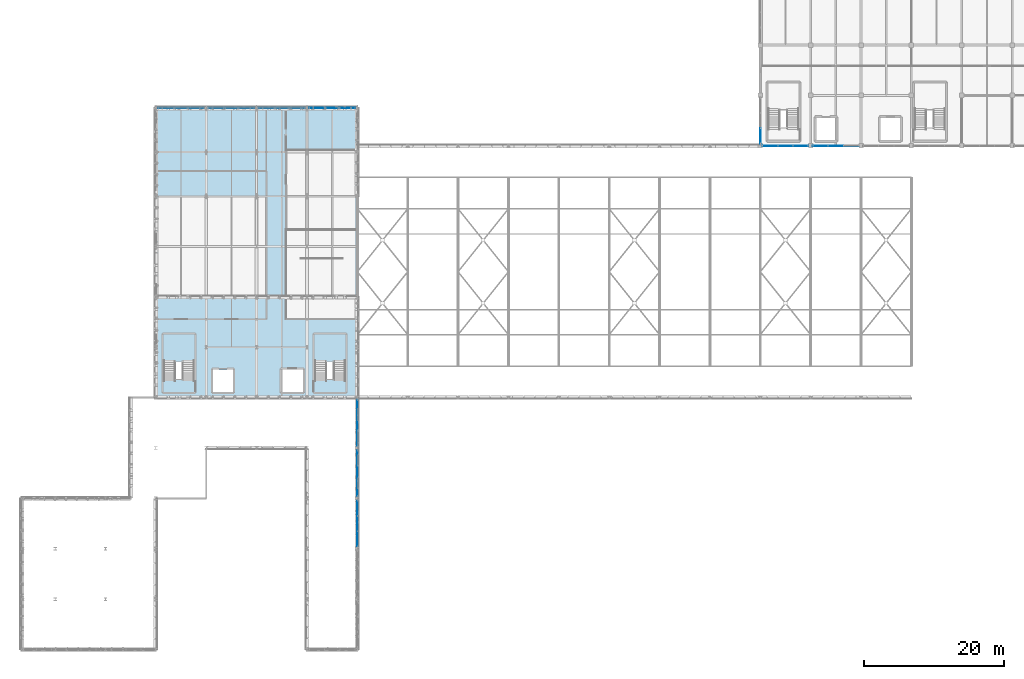
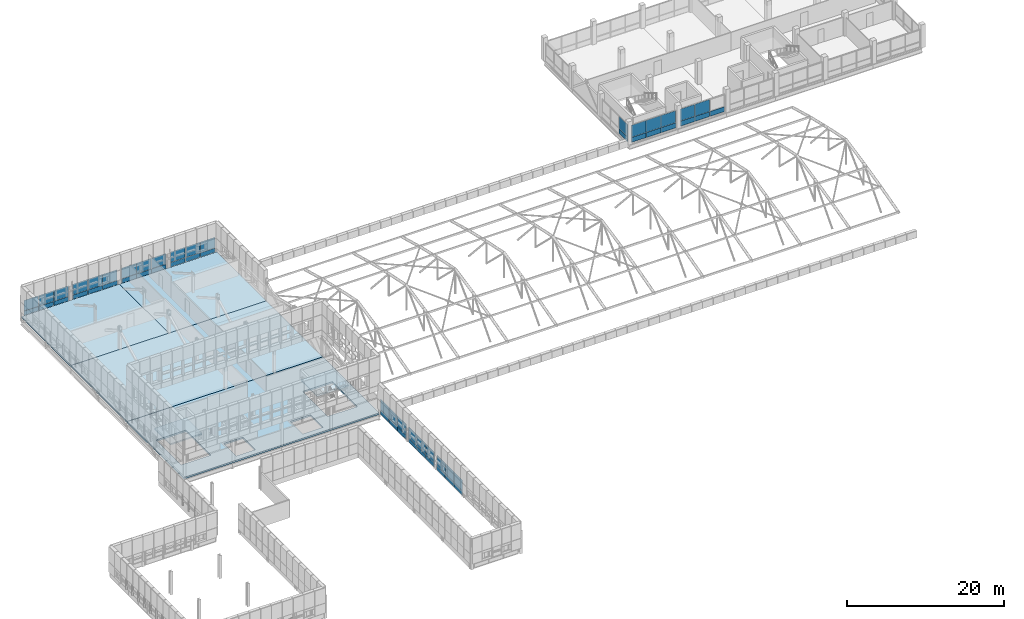
# One storey, part 50 of 96: 55 plates, 6 slabs, 12 elements without a shape of their own.
"""IFC4 building model written with IfcOpenShell, lengths in metres."""

import ifcopenshell
import ifcopenshell.guid

model = None  # the IFC model being written
_history = None  # IfcOwnerHistory: only IFC2X3 demands one
_inside = {}  # id of a spatial element -> (the spatial element, [elements in it])
_under = {}  # id of a project, library or spatial element -> (it, [spatial elements below it])
_declared = {}  # id of a project -> (the project, [libraries it declares])
_typed = {}  # id of a type object -> (the type object, [elements of that type])
_made_of = {}  # id of a material, layer set ... -> (it, [elements and type objects made of it])


def new_model(schema):
    """Start an empty IFC model of exactly this schema.

    Asked for "IFC4X3", IfcOpenShell would pick the latest addendum, in which some entities
    have other attributes; the version numbers below select the first issue.
    IFC2X3 requires an IfcOwnerHistory on every rooted entity: one is made here for all.
    """
    global model, _history
    if schema == "IFC4X3":
        model = ifcopenshell.file(schema_version=(4, 3, 0, 0))
    else:
        model = ifcopenshell.file(schema=schema)
    _inside.clear()
    _under.clear()
    _declared.clear()
    _typed.clear()
    _made_of.clear()
    _history = None
    if model.schema == "IFC2X3":
        org = make("IfcOrganization", Name="unknown")
        user = make(
            "IfcPersonAndOrganization",
            ThePerson=make("IfcPerson", FamilyName="unknown"),
            TheOrganization=org,
        )
        app = make(
            "IfcApplication",
            ApplicationDeveloper=org,
            Version="unknown",
            ApplicationFullName="unknown",
            ApplicationIdentifier="unknown",
        )
        _history = make(
            "IfcOwnerHistory",
            OwningUser=user,
            OwningApplication=app,
            ChangeAction="ADDED",
            CreationDate=0,
        )
    return model


def make(cls, **values):
    """One entity of the class cls with the attributes given. An attribute that is None is left unset."""
    return model.create_entity(
        cls, **{name: value for name, value in values.items() if value is not None}
    )


def rooted(cls, **values):
    """An entity with a GlobalId (a new one), such as an element, a storey or a relation."""
    return make(cls, GlobalId=ifcopenshell.guid.new(), OwnerHistory=_history, **values)


def si_unit(unit_type, name, prefix=None):
    """IfcSIUnit, for example si_unit("LENGTHUNIT", "METRE", prefix="MILLI")."""
    return make("IfcSIUnit", UnitType=unit_type, Prefix=prefix, Name=name)


def assignment(units):
    """IfcUnitAssignment: the units of a project."""
    return None if units is None else make("IfcUnitAssignment", Units=units)


def point(xyz):
    """IfcCartesianPoint."""
    return None if xyz is None else make("IfcCartesianPoint", Coordinates=xyz)


def direction(xyz):
    """IfcDirection."""
    return None if xyz is None else make("IfcDirection", DirectionRatios=xyz)


def frame(location, z_axis=None, x_axis=None):
    """IfcAxis2Placement3D, a coordinate frame: its origin and axes. An axis left out is left unset."""
    return make(
        "IfcAxis2Placement3D",
        Location=point(location),
        Axis=direction(z_axis),
        RefDirection=direction(x_axis),
    )


def frame_2d(location, x_axis=None):
    """IfcAxis2Placement2D, a coordinate frame in the plane: its origin and x axis."""
    return make(
        "IfcAxis2Placement2D", Location=point(location), RefDirection=direction(x_axis)
    )


def origin():
    """The frame at (0, 0, 0) with its axes left unset."""
    return frame((0.0, 0.0, 0.0))


def origin_2d():
    """The frame at (0, 0) in the plane with its x axis left unset."""
    return frame_2d((0.0, 0.0))


def place(relative_to, where):
    """IfcLocalPlacement: puts the frame where relative to a parent placement (None: the world)."""
    return make(
        "IfcLocalPlacement", PlacementRelTo=relative_to, RelativePlacement=where
    )


def context(
    kind, dimensions, precision=None, world=None, true_north=None, identifier=None
):
    """IfcGeometricRepresentationContext, for example the 3D "Model" context."""
    return make(
        "IfcGeometricRepresentationContext",
        ContextIdentifier=identifier,
        ContextType=kind,
        CoordinateSpaceDimension=dimensions,
        Precision=precision,
        WorldCoordinateSystem=world,
        TrueNorth=true_north,
    )


def subcontext(parent, identifier, kind, view, scale=None):
    """IfcGeometricRepresentationSubContext, for example "Body" below "Model"."""
    return make(
        "IfcGeometricRepresentationSubContext",
        ContextIdentifier=identifier,
        ContextType=kind,
        ParentContext=parent,
        TargetScale=scale,
        TargetView=view,
    )


def project(units=None, contexts=None):
    """IfcProject with its units and contexts."""
    return rooted(
        "IfcProject",
        Name="project",
        RepresentationContexts=contexts,
        UnitsInContext=assignment(units),
    )


def spatial(cls, under=None, at=None, **own):
    """A site, building, storey or space (cls), placed at a placement, below another one or the project."""
    s = rooted(cls, ObjectPlacement=at, **own)
    if under is not None:
        _under.setdefault(under.id(), (under, []))[1].append(s)
    return s


def polyline(points):
    """IfcPolyline through the points."""
    return make("IfcPolyline", Points=[point(p) for p in points])


def profile(cls, at=None, kind="AREA", **sizes):
    """A parametric profile (cls). Its sizes go by their IFC names, for example OverallWidth=200.0."""
    return make(cls, ProfileType=kind, Position=at, **sizes)


def rectangle(**sizes):
    """IfcRectangleProfileDef."""
    return profile("IfcRectangleProfileDef", **sizes)


def outline(outer, holes=None, kind="AREA"):
    """IfcArbitraryClosedProfileDef: a profile drawn as a closed curve; with holes, ...WithVoids."""
    if holes is None:
        return make("IfcArbitraryClosedProfileDef", ProfileType=kind, OuterCurve=outer)
    return make(
        "IfcArbitraryProfileDefWithVoids",
        ProfileType=kind,
        OuterCurve=outer,
        InnerCurves=holes,
    )


def extrude(swept, where, along, depth):
    """IfcExtrudedAreaSolid: the profile swept, set in the frame where, extruded along a direction by depth."""
    return make(
        "IfcExtrudedAreaSolid",
        SweptArea=swept,
        Position=where,
        ExtrudedDirection=direction(along),
        Depth=depth,
    )


def shape(context_of_items, identifier, shape_type, items):
    """IfcShapeRepresentation: the items that make up one representation, for example the "Body"."""
    return make(
        "IfcShapeRepresentation",
        ContextOfItems=context_of_items,
        RepresentationIdentifier=identifier,
        RepresentationType=shape_type,
        Items=items,
    )


def material(Name=None, Category=None):
    """IfcMaterial."""
    return make("IfcMaterial", Name=Name, Category=Category)


def layer(
    of_material, thickness, ventilated=None, Name=None, Category=None, Priority=None
):
    """IfcMaterialLayer: one layer of a wall or slab, of a material (None: an air gap)."""
    return make(
        "IfcMaterialLayer",
        Material=of_material,
        LayerThickness=thickness,
        IsVentilated=ventilated,
        Name=Name,
        Category=Category,
        Priority=Priority,
    )


def layer_set(layers, Name=None):
    """IfcMaterialLayerSet."""
    return make("IfcMaterialLayerSet", MaterialLayers=layers, LayerSetName=Name)


def made_of(thing, what):
    """Note that an element or type object is made of a material, layer set ...; save() writes the relation."""
    if what is not None:
        _made_of.setdefault(what.id(), (what, []))[1].append(thing)
    return thing


def type_object(cls, material=None, **own):
    """A type object (cls), such as IfcWallType, which elements share."""
    return made_of(rooted(cls, **own), material)


def element(
    cls,
    number,
    at=None,
    inside=None,
    cuts=None,
    type_object=None,
    material=None,
    context=None,
    identifier="Body",
    shape_type=None,
    held_by="IfcProductDefinitionShape",
    body=None,
    shapes=None,
    **own,
):
    """One element of the class cls, such as IfcWall. Its Tag is "e" and its number.

    at: its placement. inside: the storey or other place that contains it. cuts: it is an
    opening in that element (IfcRelVoidsElement). A single representation is given by context,
    identifier, shape_type and body (its items); several are given by shapes. held_by: the class
    of the entity that holds the representations. save() writes the other relations.
    """
    e = rooted(cls, Tag="e%d" % number, ObjectPlacement=at, **own)
    if body is not None:
        shapes = [shape(context, identifier, shape_type, body)]
    if shapes is not None:
        e.Representation = make(held_by, Representations=shapes)
    if inside is not None:
        _inside.setdefault(inside.id(), (inside, []))[1].append(e)
    if cuts is not None:
        rooted(
            "IfcRelVoidsElement", RelatingBuildingElement=cuts, RelatedOpeningElement=e
        )
    if type_object is not None:
        _typed.setdefault(type_object.id(), (type_object, []))[1].append(e)
    return made_of(e, material)


def aggregate(whole, parts):
    """IfcRelAggregates: a whole, such as a stair, and the parts it consists of."""
    return rooted("IfcRelAggregates", RelatingObject=whole, RelatedObjects=parts)


def save(model, path):
    """Write the relations noted so far, then the file.

    IfcRelAggregates (storeys below a building ...), IfcRelContainedInSpatialStructure (elements
    in a storey), IfcRelDefinesByType, IfcRelAssociatesMaterial and IfcRelDeclares: one each for
    every whole, place, type object, material and project.
    """
    for whole, parts in _under.values():
        aggregate(whole, parts)
    for where, things in _inside.values():
        rooted(
            "IfcRelContainedInSpatialStructure",
            RelatedElements=things,
            RelatingStructure=where,
        )
    for kind, things in _typed.values():
        rooted("IfcRelDefinesByType", RelatedObjects=things, RelatingType=kind)
    for what, things in _made_of.values():
        rooted("IfcRelAssociatesMaterial", RelatedObjects=things, RelatingMaterial=what)
    for by, libraries in _declared.values():
        rooted("IfcRelDeclares", RelatingContext=by, RelatedDefinitions=libraries)
    model.write(path)


model = new_model("IFC4")

# Units and contexts
model_context = context("Model", 3, precision=1e-05, world=origin(), true_north=direction((0.0, 1.0)))
body_context = subcontext(model_context, "Body", "Model", "MODEL_VIEW")
ifc_project = project(units=[si_unit("LENGTHUNIT", "METRE"), si_unit("AREAUNIT", "SQUARE_METRE"), si_unit("VOLUMEUNIT", "CUBIC_METRE"), si_unit("PLANEANGLEUNIT", "RADIAN"), si_unit("MASSUNIT", "GRAM", prefix="KILO")], contexts=[model_context])

# Site, building, storey
site_placement = place(None, origin())
site = spatial("IfcSite", under=ifc_project, at=site_placement, CompositionType="ELEMENT")
building_placement = place(site_placement, origin())
building = spatial("IfcBuilding", under=site, at=building_placement, Name="Yarey Park Central Fire Station", CompositionType="ELEMENT")
storey_placement = place(building_placement, frame((0.0, 0.0, 14.39990234375)))
storey = spatial("IfcBuildingStorey", under=building, at=storey_placement, Name="L04", CompositionType="ELEMENT", Elevation=14.39990234375)

# Curtain wall, plates
ifc_material_1 = material(Name="Anodized Aluminium Frame", Category="aluminium")
curtain_wall_type_1 = type_object("IfcCurtainWallType", Name="ENV_CW_V3_OVR2", PredefinedType="NOTDEFINED", material=ifc_material_1)
curtain_wall_1_placement = place(storey_placement, origin())
curtain_wall_1 = element("IfcCurtainWall", 1, at=curtain_wall_1_placement, inside=storey, type_object=curtain_wall_type_1, Name="CW_L04_V3_N_064", PredefinedType="NOTDEFINED")
ifc_material_2 = material(Name="Insulated Aluminium Spandrel Panel", Category="aluminium")
ifc_layer_1 = layer(ifc_material_2, 0.055908203125)
ifc_layer_set_1 = layer_set([ifc_layer_1], Name="Insulated Aluminium Spandrel Panel")
plate_type_1 = type_object("IfcPlateType", Name="ENV_PNL_SPN_01", PredefinedType="CURTAIN_PANEL", material=ifc_layer_set_1)
plate_1_placement = place(storey_placement, frame((56.193359375, 99.0, 0.04248046875), z_axis=(0.0, 0.0, 1.0), x_axis=(-1.0, 0.0, 0.0)))
plate_1 = element("IfcPlate", 2, at=plate_1_placement, type_object=plate_type_1, Name="CW_L04_V3_N_064_PNL01", PredefinedType="CURTAIN_PANEL", context=body_context, shape_type="SweptSolid", body=[
    extrude(rectangle(XDim=2.1533203125, YDim=0.055908203125, at=origin_2d()), origin(), (0.0, 0.0, 1.0), 0.666015625),
])
plate_2_placement = place(storey_placement, frame((54.0, 99.0, 0.04248046875), z_axis=(0.0, 0.0, 1.0), x_axis=(-1.0, 0.0, 0.0)))
plate_2 = element("IfcPlate", 3, at=plate_2_placement, type_object=plate_type_1, Name="CW_L04_V3_N_064_PNL03", PredefinedType="CURTAIN_PANEL", context=body_context, shape_type="SweptSolid", body=[
    extrude(rectangle(XDim=2.1533203125, YDim=0.055908203125, at=origin_2d()), origin(), (0.0, 0.0, 1.0), 0.666015625),
])
plate_3_placement = place(storey_placement, frame((51.806640625, 99.0, 0.04248046875), z_axis=(0.0, 0.0, 1.0), x_axis=(-1.0, 0.0, 0.0)))
plate_3 = element("IfcPlate", 4, at=plate_3_placement, type_object=plate_type_1, Name="CW_L04_V3_N_064_PNL05", PredefinedType="CURTAIN_PANEL", context=body_context, shape_type="SweptSolid", body=[
    extrude(rectangle(XDim=2.1533203125, YDim=0.055908203125, at=origin_2d()), origin(), (0.0, 0.0, 1.0), 0.666015625),
])

curtain_wall_2_placement = place(storey_placement, origin())
curtain_wall_2 = element("IfcCurtainWall", 5, at=curtain_wall_2_placement, inside=storey, type_object=curtain_wall_type_1, Name="CW_L04_V1_E_076", PredefinedType="NOTDEFINED")
plate_4_placement = place(storey_placement, frame((57.60009765625, 37.40673828125, 0.04248046875), z_axis=(0.0, 0.0, 1.0), x_axis=(0.0, 1.0, 0.0)))
plate_4 = element("IfcPlate", 6, at=plate_4_placement, type_object=plate_type_1, Name="CW_L04_V1_E_076_PNL01", PredefinedType="CURTAIN_PANEL", context=body_context, shape_type="SweptSolid", body=[
    extrude(rectangle(XDim=2.1533203125, YDim=0.055908203125, at=origin_2d()), origin(), (0.0, 0.0, 1.0), 0.666015625),
])
plate_5_placement = place(storey_placement, frame((57.60009765625, 39.60009765625, 0.04248046875), z_axis=(0.0, 0.0, 1.0), x_axis=(0.0, 1.0, 0.0)))
plate_5 = element("IfcPlate", 7, at=plate_5_placement, type_object=plate_type_1, Name="CW_L04_V1_E_076_PNL03", PredefinedType="CURTAIN_PANEL", context=body_context, shape_type="SweptSolid", body=[
    extrude(rectangle(XDim=2.1533203125, YDim=0.055908203125, at=origin_2d()), origin(), (0.0, 0.0, 1.0), 0.666015625),
])
plate_6_placement = place(storey_placement, frame((57.60009765625, 41.793212890625, 0.04248046875), z_axis=(0.0, 0.0, 1.0), x_axis=(0.0, 1.0, 0.0)))
plate_6 = element("IfcPlate", 8, at=plate_6_placement, type_object=plate_type_1, Name="CW_L04_V1_E_076_PNL05", PredefinedType="CURTAIN_PANEL", context=body_context, shape_type="SweptSolid", body=[
    extrude(rectangle(XDim=2.1533203125, YDim=0.055908203125, at=origin_2d()), origin(), (0.0, 0.0, 1.0), 0.666015625),
])

curtain_wall_3_placement = place(storey_placement, origin())
curtain_wall_3 = element("IfcCurtainWall", 9, at=curtain_wall_3_placement, inside=storey, type_object=curtain_wall_type_1, Name="CW_L04_V3_N_061", PredefinedType="NOTDEFINED")
ifc_layer_2 = layer(ifc_material_2, 0.068115234375)
ifc_layer_set_2 = layer_set([ifc_layer_2], Name="Insulated Aluminium Spandrel Panel")
plate_type_2 = type_object("IfcPlateType", Name="ENV_PNL_SPN_02", PredefinedType="CURTAIN_PANEL", material=ifc_layer_set_2)
plate_7_placement = place(storey_placement, frame((34.59326171875, 99.0, 0.04248046875), z_axis=(0.0, 0.0, 1.0), x_axis=(-1.0, 0.0, 0.0)))
plate_7 = element("IfcPlate", 10, at=plate_7_placement, type_object=plate_type_2, Name="CW_L04_V3_N_061_PNL01", PredefinedType="CURTAIN_PANEL", context=body_context, shape_type="SweptSolid", body=[
    extrude(rectangle(XDim=2.1533203125, YDim=0.068115234375, at=origin_2d()), origin(), (0.0, 0.0, 1.0), 0.666015625),
])
plate_8_placement = place(storey_placement, frame((32.39990234375, 99.0, 0.04248046875), z_axis=(0.0, 0.0, 1.0), x_axis=(-1.0, 0.0, 0.0)))
plate_8 = element("IfcPlate", 11, at=plate_8_placement, type_object=plate_type_2, Name="CW_L04_V3_N_061_PNL03", PredefinedType="CURTAIN_PANEL", context=body_context, shape_type="SweptSolid", body=[
    extrude(rectangle(XDim=2.1533203125, YDim=0.068115234375, at=origin_2d()), origin(), (0.0, 0.0, 1.0), 0.666015625),
])
plate_9_placement = place(storey_placement, frame((30.206787109375, 99.0, 0.04248046875), z_axis=(0.0, 0.0, 1.0), x_axis=(-1.0, 0.0, 0.0)))
plate_9 = element("IfcPlate", 12, at=plate_9_placement, type_object=plate_type_2, Name="CW_L04_V3_N_061_PNL05", PredefinedType="CURTAIN_PANEL", context=body_context, shape_type="SweptSolid", body=[
    extrude(rectangle(XDim=2.1533203125, YDim=0.068115234375, at=origin_2d()), origin(), (0.0, 0.0, 1.0), 0.666015625),
])

curtain_wall_4_placement = place(storey_placement, origin())
curtain_wall_4 = element("IfcCurtainWall", 13, at=curtain_wall_4_placement, inside=storey, type_object=curtain_wall_type_1, Name="CW_L04_V1_E_077", PredefinedType="NOTDEFINED")
plate_10_placement = place(storey_placement, frame((57.60009765625, 44.606689453125, 0.04248046875), z_axis=(0.0, 0.0, 1.0), x_axis=(0.0, 1.0, 0.0)))
plate_10 = element("IfcPlate", 14, at=plate_10_placement, type_object=plate_type_2, Name="CW_L04_V1_E_077_PNL01", PredefinedType="CURTAIN_PANEL", context=body_context, shape_type="SweptSolid", body=[
    extrude(rectangle(XDim=2.1533203125, YDim=0.068115234375, at=origin_2d()), origin(), (0.0, 0.0, 1.0), 0.666015625),
])
plate_11_placement = place(storey_placement, frame((57.60009765625, 46.800048828125, 0.04248046875), z_axis=(0.0, 0.0, 1.0), x_axis=(0.0, 1.0, 0.0)))
plate_11 = element("IfcPlate", 15, at=plate_11_placement, type_object=plate_type_2, Name="CW_L04_V1_E_077_PNL03", PredefinedType="CURTAIN_PANEL", context=body_context, shape_type="SweptSolid", body=[
    extrude(rectangle(XDim=2.1533203125, YDim=0.068115234375, at=origin_2d()), origin(), (0.0, 0.0, 1.0), 0.666015625),
])
plate_12_placement = place(storey_placement, frame((57.60009765625, 48.993408203125, 0.04248046875), z_axis=(0.0, 0.0, 1.0), x_axis=(0.0, 1.0, 0.0)))
plate_12 = element("IfcPlate", 16, at=plate_12_placement, type_object=plate_type_2, Name="CW_L04_V1_E_077_PNL05", PredefinedType="CURTAIN_PANEL", context=body_context, shape_type="SweptSolid", body=[
    extrude(rectangle(XDim=2.1533203125, YDim=0.068115234375, at=origin_2d()), origin(), (0.0, 0.0, 1.0), 0.666015625),
])

curtain_wall_type_2 = type_object("IfcCurtainWallType", Name="ENV_CW_HQ_L04", PredefinedType="NOTDEFINED", material=ifc_material_1)
curtain_wall_5_placement = place(storey_placement, origin())
curtain_wall_5 = element("IfcCurtainWall", 17, at=curtain_wall_5_placement, inside=storey, type_object=curtain_wall_type_2, Name="CW_L04_V4_S_2", PredefinedType="NOTDEFINED")
plate_13_placement = place(storey_placement, frame((123.806640625, 93.60009765625, 0.04248046875), z_axis=(0.0, 0.0, 1.0), x_axis=(1.0, 0.0, 0.0)))
plate_13 = element("IfcPlate", 18, at=plate_13_placement, type_object=plate_type_2, Name="CW_L04_V4_S_2_PNL01", PredefinedType="CURTAIN_PANEL", context=body_context, shape_type="SweptSolid", body=[
    extrude(rectangle(XDim=2.1533203125, YDim=0.068115234375, at=origin_2d()), origin(), (0.0, 0.0, 1.0), 0.764892578125),
])
plate_14_placement = place(storey_placement, frame((126.0, 93.60009765625, 0.04248046875), z_axis=(0.0, 0.0, 1.0), x_axis=(1.0, 0.0, 0.0)))
plate_14 = element("IfcPlate", 19, at=plate_14_placement, type_object=plate_type_2, Name="CW_L04_V4_S_2_PNL03", PredefinedType="CURTAIN_PANEL", context=body_context, shape_type="SweptSolid", body=[
    extrude(rectangle(XDim=2.1533203125, YDim=0.068115234375, at=origin_2d()), origin(), (0.0, 0.0, 1.0), 0.764892578125),
])
plate_15_placement = place(storey_placement, frame((128.193359375, 93.60009765625, 0.04248046875), z_axis=(0.0, 0.0, 1.0), x_axis=(1.0, 0.0, 0.0)))
plate_15 = element("IfcPlate", 20, at=plate_15_placement, type_object=plate_type_2, Name="CW_L04_V4_S_2_PNL05", PredefinedType="CURTAIN_PANEL", context=body_context, shape_type="SweptSolid", body=[
    extrude(rectangle(XDim=2.1533203125, YDim=0.068115234375, at=origin_2d()), origin(), (0.0, 0.0, 1.0), 0.764892578125),
])

curtain_wall_6_placement = place(storey_placement, origin())
curtain_wall_6 = element("IfcCurtainWall", 21, at=curtain_wall_6_placement, inside=storey, type_object=curtain_wall_type_1, Name="CW_L04_V3_N_062", PredefinedType="NOTDEFINED")
ifc_layer_3 = layer(ifc_material_2, 0.077880859375)
ifc_layer_set_3 = layer_set([ifc_layer_3], Name="Insulated Aluminium Spandrel Panel")
plate_type_3 = type_object("IfcPlateType", Name="ENV_PNL_SPN_03", PredefinedType="CURTAIN_PANEL", material=ifc_layer_set_3)
plate_16_placement = place(storey_placement, frame((41.793212890625, 99.0, 0.04248046875), z_axis=(0.0, 0.0, 1.0), x_axis=(-1.0, 0.0, 0.0)))
plate_16 = element("IfcPlate", 22, at=plate_16_placement, type_object=plate_type_3, Name="CW_L04_V3_N_062_PNL01", PredefinedType="CURTAIN_PANEL", context=body_context, shape_type="SweptSolid", body=[
    extrude(rectangle(XDim=2.1533203125, YDim=0.077880859375, at=origin_2d()), origin(), (0.0, 0.0, 1.0), 0.666015625),
])
plate_17_placement = place(storey_placement, frame((39.60009765625, 99.0, 0.04248046875), z_axis=(0.0, 0.0, 1.0), x_axis=(-1.0, 0.0, 0.0)))
plate_17 = element("IfcPlate", 23, at=plate_17_placement, type_object=plate_type_3, Name="CW_L04_V3_N_062_PNL03", PredefinedType="CURTAIN_PANEL", context=body_context, shape_type="SweptSolid", body=[
    extrude(rectangle(XDim=2.1533203125, YDim=0.077880859375, at=origin_2d()), origin(), (0.0, 0.0, 1.0), 0.666015625),
])
plate_18_placement = place(storey_placement, frame((37.40673828125, 99.0, 0.04248046875), z_axis=(0.0, 0.0, 1.0), x_axis=(-1.0, 0.0, 0.0)))
plate_18 = element("IfcPlate", 24, at=plate_18_placement, type_object=plate_type_3, Name="CW_L04_V3_N_062_PNL05", PredefinedType="CURTAIN_PANEL", context=body_context, shape_type="SweptSolid", body=[
    extrude(rectangle(XDim=2.1533203125, YDim=0.077880859375, at=origin_2d()), origin(), (0.0, 0.0, 1.0), 0.666015625),
])

curtain_wall_7_placement = place(storey_placement, origin())
curtain_wall_7 = element("IfcCurtainWall", 25, at=curtain_wall_7_placement, inside=storey, type_object=curtain_wall_type_1, Name="CW_L04_V1_E_078", PredefinedType="NOTDEFINED")
plate_19_placement = place(storey_placement, frame((57.60009765625, 51.806640625, 0.04248046875), z_axis=(0.0, 0.0, 1.0), x_axis=(0.0, 1.0, 0.0)))
plate_19 = element("IfcPlate", 26, at=plate_19_placement, type_object=plate_type_3, Name="CW_L04_V1_E_078_PNL01", PredefinedType="CURTAIN_PANEL", context=body_context, shape_type="SweptSolid", body=[
    extrude(rectangle(XDim=2.1533203125, YDim=0.077880859375, at=origin_2d()), origin(), (0.0, 0.0, 1.0), 0.666015625),
])
plate_20_placement = place(storey_placement, frame((57.60009765625, 54.0, 0.04248046875), z_axis=(0.0, 0.0, 1.0), x_axis=(0.0, 1.0, 0.0)))
plate_20 = element("IfcPlate", 27, at=plate_20_placement, type_object=plate_type_3, Name="CW_L04_V1_E_078_PNL03", PredefinedType="CURTAIN_PANEL", context=body_context, shape_type="SweptSolid", body=[
    extrude(rectangle(XDim=2.1533203125, YDim=0.077880859375, at=origin_2d()), origin(), (0.0, 0.0, 1.0), 0.666015625),
])
plate_21_placement = place(storey_placement, frame((57.60009765625, 56.193359375, 0.04248046875), z_axis=(0.0, 0.0, 1.0), x_axis=(0.0, 1.0, 0.0)))
plate_21 = element("IfcPlate", 28, at=plate_21_placement, type_object=plate_type_3, Name="CW_L04_V1_E_078_PNL05", PredefinedType="CURTAIN_PANEL", context=body_context, shape_type="SweptSolid", body=[
    extrude(rectangle(XDim=2.1533203125, YDim=0.077880859375, at=origin_2d()), origin(), (0.0, 0.0, 1.0), 0.666015625),
])

# Curtain wall, plate
curtain_wall_8_placement = place(storey_placement, origin())
curtain_wall_8 = element("IfcCurtainWall", 29, at=curtain_wall_8_placement, inside=storey, type_object=curtain_wall_type_2, Name="CW_L04_V4_W_93", PredefinedType="NOTDEFINED")
plate_22_placement = place(storey_placement, frame((115.199951171875, 95.006591796875, 0.04248046875), z_axis=(0.0, 0.0, 1.0), x_axis=(0.0, -1.0, 0.0)))
plate_22 = element("IfcPlate", 30, at=plate_22_placement, type_object=plate_type_3, Name="CW_L04_V4_W_93_PNL05", PredefinedType="CURTAIN_PANEL", context=body_context, shape_type="SweptSolid", body=[
    extrude(rectangle(XDim=2.1533203125, YDim=0.077880859375, at=origin_2d()), origin(), (0.0, 0.0, 1.0), 0.764892578125),
])

# Curtain wall, plates
curtain_wall_9_placement = place(storey_placement, origin())
curtain_wall_9 = element("IfcCurtainWall", 31, at=curtain_wall_9_placement, inside=storey, type_object=curtain_wall_type_1, Name="CW_L04_V3_N_063", PredefinedType="NOTDEFINED")
ifc_layer_4 = layer(ifc_material_2, 0.087890625)
ifc_layer_set_4 = layer_set([ifc_layer_4], Name="Insulated Aluminium Spandrel Panel")
plate_type_4 = type_object("IfcPlateType", Name="ENV_PNL_SPN_04", PredefinedType="CURTAIN_PANEL", material=ifc_layer_set_4)
plate_23_placement = place(storey_placement, frame((48.993408203125, 99.0, 0.04248046875), z_axis=(0.0, 0.0, 1.0), x_axis=(-1.0, 0.0, 0.0)))
plate_23 = element("IfcPlate", 32, at=plate_23_placement, type_object=plate_type_4, Name="CW_L04_V3_N_063_PNL01", PredefinedType="CURTAIN_PANEL", context=body_context, shape_type="SweptSolid", body=[
    extrude(rectangle(XDim=2.1533203125, YDim=0.087890625, at=origin_2d()), origin(), (0.0, 0.0, 1.0), 0.666015625),
])
plate_24_placement = place(storey_placement, frame((46.800048828125, 99.0, 0.04248046875), z_axis=(0.0, 0.0, 1.0), x_axis=(-1.0, 0.0, 0.0)))
plate_24 = element("IfcPlate", 33, at=plate_24_placement, type_object=plate_type_4, Name="CW_L04_V3_N_063_PNL03", PredefinedType="CURTAIN_PANEL", context=body_context, shape_type="SweptSolid", body=[
    extrude(rectangle(XDim=2.1533203125, YDim=0.087890625, at=origin_2d()), origin(), (0.0, 0.0, 1.0), 0.666015625),
])
plate_25_placement = place(storey_placement, frame((44.606689453125, 99.0, 0.04248046875), z_axis=(0.0, 0.0, 1.0), x_axis=(-1.0, 0.0, 0.0)))
plate_25 = element("IfcPlate", 34, at=plate_25_placement, type_object=plate_type_4, Name="CW_L04_V3_N_063_PNL05", PredefinedType="CURTAIN_PANEL", context=body_context, shape_type="SweptSolid", body=[
    extrude(rectangle(XDim=2.1533203125, YDim=0.087890625, at=origin_2d()), origin(), (0.0, 0.0, 1.0), 0.666015625),
])

curtain_wall_10_placement = place(storey_placement, origin())
curtain_wall_10 = element("IfcCurtainWall", 35, at=curtain_wall_10_placement, inside=storey, type_object=curtain_wall_type_2, Name="CW_L04_V4_S_1", PredefinedType="NOTDEFINED")
plate_26_placement = place(storey_placement, frame((116.606689453125, 93.60009765625, 0.04248046875), z_axis=(0.0, 0.0, 1.0), x_axis=(1.0, 0.0, 0.0)))
plate_26 = element("IfcPlate", 36, at=plate_26_placement, type_object=plate_type_4, Name="CW_L04_V4_S_1_PNL01", PredefinedType="CURTAIN_PANEL", context=body_context, shape_type="SweptSolid", body=[
    extrude(rectangle(XDim=2.1533203125, YDim=0.087890625, at=origin_2d()), origin(), (0.0, 0.0, 1.0), 0.764892578125),
])
plate_27_placement = place(storey_placement, frame((118.800048828125, 93.60009765625, 0.04248046875), z_axis=(0.0, 0.0, 1.0), x_axis=(1.0, 0.0, 0.0)))
plate_27 = element("IfcPlate", 37, at=plate_27_placement, type_object=plate_type_4, Name="CW_L04_V4_S_1_PNL03", PredefinedType="CURTAIN_PANEL", context=body_context, shape_type="SweptSolid", body=[
    extrude(rectangle(XDim=2.1533203125, YDim=0.087890625, at=origin_2d()), origin(), (0.0, 0.0, 1.0), 0.764892578125),
])
plate_28_placement = place(storey_placement, frame((120.993408203125, 93.60009765625, 0.04248046875), z_axis=(0.0, 0.0, 1.0), x_axis=(1.0, 0.0, 0.0)))
plate_28 = element("IfcPlate", 38, at=plate_28_placement, type_object=plate_type_4, Name="CW_L04_V4_S_1_PNL05", PredefinedType="CURTAIN_PANEL", context=body_context, shape_type="SweptSolid", body=[
    extrude(rectangle(XDim=2.1533203125, YDim=0.087890625, at=origin_2d()), origin(), (0.0, 0.0, 1.0), 0.764892578125),
])

# Plate
ifc_material_3 = material(Name="Laminated Hurricane Low-E Glass", Category="glass")
ifc_layer_5 = layer(ifc_material_3, 0.02392578125)
ifc_layer_set_5 = layer_set([ifc_layer_5], Name="Laminated Hurricane Low-E Glass")
plate_type_5 = type_object("IfcPlateType", Name="ENV_PNL_VIS_01", PredefinedType="CURTAIN_PANEL", material=ifc_layer_set_5)
plate_29_placement = place(storey_placement, frame((56.193359375, 99.0, 0.74365234375), z_axis=(0.0, 0.0, 1.0), x_axis=(-1.0, 0.0, 0.0)))
plate_29 = element("IfcPlate", 39, at=plate_29_placement, type_object=plate_type_5, Name="CW_L04_V3_N_064_PNL02", PredefinedType="CURTAIN_PANEL", context=body_context, shape_type="SweptSolid", body=[
    extrude(rectangle(XDim=2.1533203125, YDim=0.02392578125, at=origin_2d()), origin(), (0.0, 0.0, 1.0), 1.634033203125),
])

plate_30_placement = place(storey_placement, frame((54.0, 99.0, 0.74365234375), z_axis=(0.0, 0.0, 1.0), x_axis=(-1.0, 0.0, 0.0)))
plate_30 = element("IfcPlate", 40, at=plate_30_placement, type_object=plate_type_5, Name="CW_L04_V3_N_064_PNL04", PredefinedType="CURTAIN_PANEL", context=body_context, shape_type="SweptSolid", body=[
    extrude(rectangle(XDim=2.1533203125, YDim=0.02392578125, at=origin_2d()), origin(), (0.0, 0.0, 1.0), 1.634033203125),
])

plate_31_placement = place(storey_placement, frame((51.806640625, 99.0, 0.74365234375), z_axis=(0.0, 0.0, 1.0), x_axis=(-1.0, 0.0, 0.0)))
plate_31 = element("IfcPlate", 41, at=plate_31_placement, type_object=plate_type_5, Name="CW_L04_V3_N_064_PNL06", PredefinedType="CURTAIN_PANEL", context=body_context, shape_type="SweptSolid", body=[
    extrude(rectangle(XDim=2.1533203125, YDim=0.02392578125, at=origin_2d()), origin(), (0.0, 0.0, 1.0), 1.634033203125),
])

aggregate(curtain_wall_1, [plate_1, plate_29, plate_2, plate_30, plate_3, plate_31])

plate_32_placement = place(storey_placement, frame((57.60009765625, 37.40673828125, 0.74365234375), z_axis=(0.0, 0.0, 1.0), x_axis=(0.0, 1.0, 0.0)))
plate_32 = element("IfcPlate", 42, at=plate_32_placement, type_object=plate_type_5, Name="CW_L04_V1_E_076_PNL02", PredefinedType="CURTAIN_PANEL", context=body_context, shape_type="SweptSolid", body=[
    extrude(rectangle(XDim=2.1533203125, YDim=0.02392578125, at=origin_2d()), origin(), (0.0, 0.0, 1.0), 1.634033203125),
])

plate_33_placement = place(storey_placement, frame((57.60009765625, 39.60009765625, 0.74365234375), z_axis=(0.0, 0.0, 1.0), x_axis=(0.0, 1.0, 0.0)))
plate_33 = element("IfcPlate", 43, at=plate_33_placement, type_object=plate_type_5, Name="CW_L04_V1_E_076_PNL04", PredefinedType="CURTAIN_PANEL", context=body_context, shape_type="SweptSolid", body=[
    extrude(rectangle(XDim=2.1533203125, YDim=0.02392578125, at=origin_2d()), origin(), (0.0, 0.0, 1.0), 1.634033203125),
])

plate_34_placement = place(storey_placement, frame((57.60009765625, 41.793212890625, 0.74365234375), z_axis=(0.0, 0.0, 1.0), x_axis=(0.0, 1.0, 0.0)))
plate_34 = element("IfcPlate", 44, at=plate_34_placement, type_object=plate_type_5, Name="CW_L04_V1_E_076_PNL06", PredefinedType="CURTAIN_PANEL", context=body_context, shape_type="SweptSolid", body=[
    extrude(rectangle(XDim=2.1533203125, YDim=0.02392578125, at=origin_2d()), origin(), (0.0, 0.0, 1.0), 1.634033203125),
])

aggregate(curtain_wall_2, [plate_4, plate_32, plate_5, plate_33, plate_6, plate_34])

ifc_layer_6 = layer(ifc_material_3, 0.031982421875)
ifc_layer_set_6 = layer_set([ifc_layer_6], Name="Laminated Hurricane Low-E Glass")
plate_type_6 = type_object("IfcPlateType", Name="ENV_PNL_VIS_02", PredefinedType="CURTAIN_PANEL", material=ifc_layer_set_6)
plate_35_placement = place(storey_placement, frame((34.59326171875, 99.0, 0.74365234375), z_axis=(0.0, 0.0, 1.0), x_axis=(-1.0, 0.0, 0.0)))
plate_35 = element("IfcPlate", 45, at=plate_35_placement, type_object=plate_type_6, Name="CW_L04_V3_N_061_PNL02", PredefinedType="CURTAIN_PANEL", context=body_context, shape_type="SweptSolid", body=[
    extrude(rectangle(XDim=2.1533203125, YDim=0.031982421875, at=origin_2d()), origin(), (0.0, 0.0, 1.0), 1.634033203125),
])

plate_36_placement = place(storey_placement, frame((32.39990234375, 99.0, 0.74365234375), z_axis=(0.0, 0.0, 1.0), x_axis=(-1.0, 0.0, 0.0)))
plate_36 = element("IfcPlate", 46, at=plate_36_placement, type_object=plate_type_6, Name="CW_L04_V3_N_061_PNL04", PredefinedType="CURTAIN_PANEL", context=body_context, shape_type="SweptSolid", body=[
    extrude(rectangle(XDim=2.1533203125, YDim=0.031982421875, at=origin_2d()), origin(), (0.0, 0.0, 1.0), 1.634033203125),
])

plate_37_placement = place(storey_placement, frame((30.206787109375, 99.0, 0.74365234375), z_axis=(0.0, 0.0, 1.0), x_axis=(-1.0, 0.0, 0.0)))
plate_37 = element("IfcPlate", 47, at=plate_37_placement, type_object=plate_type_6, Name="CW_L04_V3_N_061_PNL06", PredefinedType="CURTAIN_PANEL", context=body_context, shape_type="SweptSolid", body=[
    extrude(rectangle(XDim=2.1533203125, YDim=0.031982421875, at=origin_2d()), origin(), (0.0, 0.0, 1.0), 1.634033203125),
])

aggregate(curtain_wall_3, [plate_7, plate_35, plate_8, plate_36, plate_9, plate_37])

plate_38_placement = place(storey_placement, frame((57.60009765625, 44.606689453125, 0.74365234375), z_axis=(0.0, 0.0, 1.0), x_axis=(0.0, 1.0, 0.0)))
plate_38 = element("IfcPlate", 48, at=plate_38_placement, type_object=plate_type_6, Name="CW_L04_V1_E_077_PNL02", PredefinedType="CURTAIN_PANEL", context=body_context, shape_type="SweptSolid", body=[
    extrude(rectangle(XDim=2.1533203125, YDim=0.031982421875, at=origin_2d()), origin(), (0.0, 0.0, 1.0), 1.634033203125),
])

plate_39_placement = place(storey_placement, frame((57.60009765625, 46.800048828125, 0.74365234375), z_axis=(0.0, 0.0, 1.0), x_axis=(0.0, 1.0, 0.0)))
plate_39 = element("IfcPlate", 49, at=plate_39_placement, type_object=plate_type_6, Name="CW_L04_V1_E_077_PNL04", PredefinedType="CURTAIN_PANEL", context=body_context, shape_type="SweptSolid", body=[
    extrude(rectangle(XDim=2.1533203125, YDim=0.031982421875, at=origin_2d()), origin(), (0.0, 0.0, 1.0), 1.634033203125),
])

plate_40_placement = place(storey_placement, frame((57.60009765625, 48.993408203125, 0.74365234375), z_axis=(0.0, 0.0, 1.0), x_axis=(0.0, 1.0, 0.0)))
plate_40 = element("IfcPlate", 50, at=plate_40_placement, type_object=plate_type_6, Name="CW_L04_V1_E_077_PNL06", PredefinedType="CURTAIN_PANEL", context=body_context, shape_type="SweptSolid", body=[
    extrude(rectangle(XDim=2.1533203125, YDim=0.031982421875, at=origin_2d()), origin(), (0.0, 0.0, 1.0), 1.634033203125),
])

aggregate(curtain_wall_4, [plate_10, plate_38, plate_11, plate_39, plate_12, plate_40])

plate_41_placement = place(storey_placement, frame((123.806640625, 93.60009765625, 0.8427734375), z_axis=(0.0, 0.0, 1.0), x_axis=(1.0, 0.0, 0.0)))
plate_41 = element("IfcPlate", 51, at=plate_41_placement, type_object=plate_type_6, Name="CW_L04_V4_S_2_PNL02", PredefinedType="CURTAIN_PANEL", context=body_context, shape_type="SweptSolid", body=[
    extrude(rectangle(XDim=2.1533203125, YDim=0.031982421875, at=origin_2d()), origin(), (0.0, 0.0, 1.0), 1.864990234375),
])

plate_42_placement = place(storey_placement, frame((126.0, 93.60009765625, 0.8427734375), z_axis=(0.0, 0.0, 1.0), x_axis=(1.0, 0.0, 0.0)))
plate_42 = element("IfcPlate", 52, at=plate_42_placement, type_object=plate_type_6, Name="CW_L04_V4_S_2_PNL04", PredefinedType="CURTAIN_PANEL", context=body_context, shape_type="SweptSolid", body=[
    extrude(rectangle(XDim=2.1533203125, YDim=0.031982421875, at=origin_2d()), origin(), (0.0, 0.0, 1.0), 1.864990234375),
])

aggregate(curtain_wall_5, [plate_13, plate_41, plate_14, plate_42, plate_15])

ifc_layer_7 = layer(ifc_material_3, 0.0380859375)
ifc_layer_set_7 = layer_set([ifc_layer_7], Name="Laminated Hurricane Low-E Glass")
plate_type_7 = type_object("IfcPlateType", Name="ENV_PNL_VIS_03", PredefinedType="CURTAIN_PANEL", material=ifc_layer_set_7)
plate_43_placement = place(storey_placement, frame((41.793212890625, 99.0, 0.74365234375), z_axis=(0.0, 0.0, 1.0), x_axis=(-1.0, 0.0, 0.0)))
plate_43 = element("IfcPlate", 53, at=plate_43_placement, type_object=plate_type_7, Name="CW_L04_V3_N_062_PNL02", PredefinedType="CURTAIN_PANEL", context=body_context, shape_type="SweptSolid", body=[
    extrude(rectangle(XDim=2.1533203125, YDim=0.0380859375, at=origin_2d()), origin(), (0.0, 0.0, 1.0), 1.634033203125),
])

plate_44_placement = place(storey_placement, frame((39.60009765625, 99.0, 0.74365234375), z_axis=(0.0, 0.0, 1.0), x_axis=(-1.0, 0.0, 0.0)))
plate_44 = element("IfcPlate", 54, at=plate_44_placement, type_object=plate_type_7, Name="CW_L04_V3_N_062_PNL04", PredefinedType="CURTAIN_PANEL", context=body_context, shape_type="SweptSolid", body=[
    extrude(rectangle(XDim=2.1533203125, YDim=0.0380859375, at=origin_2d()), origin(), (0.0, 0.0, 1.0), 1.634033203125),
])

plate_45_placement = place(storey_placement, frame((37.40673828125, 99.0, 0.74365234375), z_axis=(0.0, 0.0, 1.0), x_axis=(-1.0, 0.0, 0.0)))
plate_45 = element("IfcPlate", 55, at=plate_45_placement, type_object=plate_type_7, Name="CW_L04_V3_N_062_PNL06", PredefinedType="CURTAIN_PANEL", context=body_context, shape_type="SweptSolid", body=[
    extrude(rectangle(XDim=2.1533203125, YDim=0.0380859375, at=origin_2d()), origin(), (0.0, 0.0, 1.0), 1.634033203125),
])

aggregate(curtain_wall_6, [plate_16, plate_43, plate_17, plate_44, plate_18, plate_45])

plate_46_placement = place(storey_placement, frame((57.60009765625, 51.806640625, 0.74365234375), z_axis=(0.0, 0.0, 1.0), x_axis=(0.0, 1.0, 0.0)))
plate_46 = element("IfcPlate", 56, at=plate_46_placement, type_object=plate_type_7, Name="CW_L04_V1_E_078_PNL02", PredefinedType="CURTAIN_PANEL", context=body_context, shape_type="SweptSolid", body=[
    extrude(rectangle(XDim=2.1533203125, YDim=0.0380859375, at=origin_2d()), origin(), (0.0, 0.0, 1.0), 1.634033203125),
])

plate_47_placement = place(storey_placement, frame((57.60009765625, 54.0, 0.74365234375), z_axis=(0.0, 0.0, 1.0), x_axis=(0.0, 1.0, 0.0)))
plate_47 = element("IfcPlate", 57, at=plate_47_placement, type_object=plate_type_7, Name="CW_L04_V1_E_078_PNL04", PredefinedType="CURTAIN_PANEL", context=body_context, shape_type="SweptSolid", body=[
    extrude(rectangle(XDim=2.1533203125, YDim=0.0380859375, at=origin_2d()), origin(), (0.0, 0.0, 1.0), 1.634033203125),
])

plate_48_placement = place(storey_placement, frame((57.60009765625, 56.193359375, 0.74365234375), z_axis=(0.0, 0.0, 1.0), x_axis=(0.0, 1.0, 0.0)))
plate_48 = element("IfcPlate", 58, at=plate_48_placement, type_object=plate_type_7, Name="CW_L04_V1_E_078_PNL06", PredefinedType="CURTAIN_PANEL", context=body_context, shape_type="SweptSolid", body=[
    extrude(rectangle(XDim=2.1533203125, YDim=0.0380859375, at=origin_2d()), origin(), (0.0, 0.0, 1.0), 1.634033203125),
])

aggregate(curtain_wall_7, [plate_19, plate_46, plate_20, plate_47, plate_21, plate_48])

plate_49_placement = place(storey_placement, frame((115.199951171875, 95.006591796875, 0.8427734375), z_axis=(0.0, 0.0, 1.0), x_axis=(0.0, -1.0, 0.0)))
plate_49 = element("IfcPlate", 59, at=plate_49_placement, type_object=plate_type_7, Name="CW_L04_V4_W_93_PNL06", PredefinedType="CURTAIN_PANEL", context=body_context, shape_type="SweptSolid", body=[
    extrude(rectangle(XDim=2.1533203125, YDim=0.0380859375, at=origin_2d()), origin(), (0.0, 0.0, 1.0), 1.864990234375),
])

aggregate(curtain_wall_8, [plate_22, plate_49])

ifc_layer_8 = layer(ifc_material_3, 0.0458984375)
ifc_layer_set_8 = layer_set([ifc_layer_8], Name="Laminated Hurricane Low-E Glass")
plate_type_8 = type_object("IfcPlateType", Name="ENV_PNL_VIS_04", PredefinedType="CURTAIN_PANEL", material=ifc_layer_set_8)
plate_50_placement = place(storey_placement, frame((48.993408203125, 99.0, 0.74365234375), z_axis=(0.0, 0.0, 1.0), x_axis=(-1.0, 0.0, 0.0)))
plate_50 = element("IfcPlate", 60, at=plate_50_placement, type_object=plate_type_8, Name="CW_L04_V3_N_063_PNL02", PredefinedType="CURTAIN_PANEL", context=body_context, shape_type="SweptSolid", body=[
    extrude(rectangle(XDim=2.1533203125, YDim=0.0458984375, at=origin_2d()), origin(), (0.0, 0.0, 1.0), 1.634033203125),
])

plate_51_placement = place(storey_placement, frame((46.800048828125, 99.0, 0.74365234375), z_axis=(0.0, 0.0, 1.0), x_axis=(-1.0, 0.0, 0.0)))
plate_51 = element("IfcPlate", 61, at=plate_51_placement, type_object=plate_type_8, Name="CW_L04_V3_N_063_PNL04", PredefinedType="CURTAIN_PANEL", context=body_context, shape_type="SweptSolid", body=[
    extrude(rectangle(XDim=2.1533203125, YDim=0.0458984375, at=origin_2d()), origin(), (0.0, 0.0, 1.0), 1.634033203125),
])

plate_52_placement = place(storey_placement, frame((44.606689453125, 99.0, 0.74365234375), z_axis=(0.0, 0.0, 1.0), x_axis=(-1.0, 0.0, 0.0)))
plate_52 = element("IfcPlate", 62, at=plate_52_placement, type_object=plate_type_8, Name="CW_L04_V3_N_063_PNL06", PredefinedType="CURTAIN_PANEL", context=body_context, shape_type="SweptSolid", body=[
    extrude(rectangle(XDim=2.1533203125, YDim=0.0458984375, at=origin_2d()), origin(), (0.0, 0.0, 1.0), 1.634033203125),
])

aggregate(curtain_wall_9, [plate_23, plate_50, plate_24, plate_51, plate_25, plate_52])

plate_53_placement = place(storey_placement, frame((116.606689453125, 93.60009765625, 0.8427734375), z_axis=(0.0, 0.0, 1.0), x_axis=(1.0, 0.0, 0.0)))
plate_53 = element("IfcPlate", 63, at=plate_53_placement, type_object=plate_type_8, Name="CW_L04_V4_S_1_PNL02", PredefinedType="CURTAIN_PANEL", context=body_context, shape_type="SweptSolid", body=[
    extrude(rectangle(XDim=2.1533203125, YDim=0.0458984375, at=origin_2d()), origin(), (0.0, 0.0, 1.0), 1.864990234375),
])

plate_54_placement = place(storey_placement, frame((118.800048828125, 93.60009765625, 0.8427734375), z_axis=(0.0, 0.0, 1.0), x_axis=(1.0, 0.0, 0.0)))
plate_54 = element("IfcPlate", 64, at=plate_54_placement, type_object=plate_type_8, Name="CW_L04_V4_S_1_PNL04", PredefinedType="CURTAIN_PANEL", context=body_context, shape_type="SweptSolid", body=[
    extrude(rectangle(XDim=2.1533203125, YDim=0.0458984375, at=origin_2d()), origin(), (0.0, 0.0, 1.0), 1.864990234375),
])

plate_55_placement = place(storey_placement, frame((120.993408203125, 93.60009765625, 0.8427734375), z_axis=(0.0, 0.0, 1.0), x_axis=(1.0, 0.0, 0.0)))
plate_55 = element("IfcPlate", 65, at=plate_55_placement, type_object=plate_type_8, Name="CW_L04_V4_S_1_PNL06", PredefinedType="CURTAIN_PANEL", context=body_context, shape_type="SweptSolid", body=[
    extrude(rectangle(XDim=2.1533203125, YDim=0.0458984375, at=origin_2d()), origin(), (0.0, 0.0, 1.0), 1.864990234375),
])

aggregate(curtain_wall_10, [plate_26, plate_53, plate_27, plate_54, plate_28, plate_55])

# Stair, slab
ifc_material_4 = material(Name="Concrete C40/50", Category="concrete")
stair_type = type_object("IfcStairType", Name="INT_ST_2RUN_150_H36", PredefinedType="USERDEFINED", material=ifc_material_4)
stair_1_placement = place(storey_placement, origin())
stair_1 = element("IfcStair", 66, at=stair_1_placement, inside=storey, type_object=stair_type, Name="Exit Stair ST-3 L04", ObjectType="TWO_RUN_STAIR", PredefinedType="USERDEFINED")
ifc_layer_9 = layer(ifc_material_4, 0.205078125)
ifc_layer_set_9 = layer_set([ifc_layer_9], Name="Concrete C40/50")
slab_type_1 = type_object("IfcSlabType", Name="INT_SLAB_LND205", PredefinedType="LANDING", material=ifc_layer_set_9)
slab_1_placement = place(storey_placement, frame((0.0, 0.0, 1.59521484375)))
slab_1 = element("IfcSlab", 67, at=slab_1_placement, type_object=slab_type_1, Name="STAIR_C3_L04_LND", PredefinedType="LANDING", context=body_context, shape_type="SweptSolid", body=[
    extrude(outline(polyline([(29.75, 62.699951171875), (34.449951171875, 62.699951171875), (34.449951171875, 66.75), (29.75, 66.75), (29.75, 62.699951171875)])), origin(), (0.0, 0.0, 1.0), 0.204833984375),
])
aggregate(stair_1, [slab_1])

stair_2_placement = place(storey_placement, origin())
stair_2 = element("IfcStair", 68, at=stair_2_placement, inside=storey, type_object=stair_type, Name="Exit Stair ST-4 L04", ObjectType="TWO_RUN_STAIR", PredefinedType="USERDEFINED")
slab_2_placement = place(storey_placement, frame((0.0, 0.0, 1.59521484375)))
slab_2 = element("IfcSlab", 69, at=slab_2_placement, type_object=slab_type_1, Name="STAIR_C4_L04_LND", PredefinedType="LANDING", context=body_context, shape_type="SweptSolid", body=[
    extrude(outline(polyline([(51.35009765625, 62.699951171875), (56.050048828125, 62.699951171875), (56.050048828125, 66.75), (51.35009765625, 66.75), (51.35009765625, 62.699951171875)])), origin(), (0.0, 0.0, 1.0), 0.204833984375),
])
aggregate(stair_2, [slab_2])

# Slabs
ifc_layer_10 = layer(ifc_material_4, 0.25)
ifc_layer_set_10 = layer_set([ifc_layer_10], Name="Concrete C40/50")
slab_type_2 = type_object("IfcSlabType", Name="STR_SLAB_F250", PredefinedType="FLOOR", material=ifc_layer_set_10)
slab_3_placement = place(storey_placement, frame((0.0, 0.0, -0.25)))
element("IfcSlab", 70, at=slab_3_placement, inside=storey, type_object=slab_type_2, Name="SLAB_L04_V3_S", PredefinedType="FLOOR", context=body_context, shape_type="SweptSolid", body=[
    extrude(outline(polyline([(28.800048828125, 57.60009765625), (57.60009765625, 57.60009765625), (57.60009765625, 72.0), (28.800048828125, 72.0), (28.800048828125, 57.60009765625)]), holes=[polyline([(29.89990234375, 60.199951171875), (34.300048828125, 60.199951171875), (34.300048828125, 66.60009765625), (29.89990234375, 66.60009765625), (29.89990234375, 60.199951171875)]), polyline([(37.0, 58.39990234375), (39.800048828125, 58.39990234375), (39.800048828125, 61.60009765625), (37.0, 61.60009765625), (37.0, 58.39990234375)]), polyline([(51.5, 60.199951171875), (55.89990234375, 60.199951171875), (55.89990234375, 66.60009765625), (51.5, 66.60009765625), (51.5, 60.199951171875)]), polyline([(46.800048828125, 58.39990234375), (49.800048828125, 58.39990234375), (49.800048828125, 61.60009765625), (46.800048828125, 61.60009765625), (46.800048828125, 58.39990234375)])]), origin(), (0.0, 0.0, 1.0), 0.25),
])
slab_4_placement = place(storey_placement, frame((0.0, 0.0, -0.25)))
element("IfcSlab", 71, at=slab_4_placement, inside=storey, type_object=slab_type_2, Name="SLAB_L04_V3_M", PredefinedType="FLOOR", context=body_context, shape_type="SweptSolid", body=[
    extrude(outline(polyline([(28.800048828125, 72.0), (57.60009765625, 72.0), (57.60009765625, 86.39990234375), (28.800048828125, 86.39990234375), (28.800048828125, 72.0)])), origin(), (0.0, 0.0, 1.0), 0.25),
])
slab_5_placement = place(storey_placement, frame((0.0, 0.0, -0.25)))
element("IfcSlab", 72, at=slab_5_placement, inside=storey, type_object=slab_type_2, Name="SLAB_L04_V3_CANT1", PredefinedType="FLOOR", context=body_context, shape_type="SweptSolid", body=[
    extrude(outline(polyline([(28.800048828125, 86.39990234375), (43.199951171875, 86.39990234375), (43.199951171875, 99.0), (28.800048828125, 99.0), (28.800048828125, 86.39990234375)])), origin(), (0.0, 0.0, 1.0), 0.25),
])
slab_6_placement = place(storey_placement, frame((0.0, 0.0, -0.25)))
element("IfcSlab", 73, at=slab_6_placement, inside=storey, type_object=slab_type_2, Name="SLAB_L04_V3_CANT2", PredefinedType="FLOOR", context=body_context, shape_type="SweptSolid", body=[
    extrude(outline(polyline([(43.199951171875, 86.39990234375), (57.60009765625, 86.39990234375), (57.60009765625, 99.0), (43.199951171875, 99.0), (43.199951171875, 86.39990234375)])), origin(), (0.0, 0.0, 1.0), 0.25),
])

save(model, "model.ifc")
